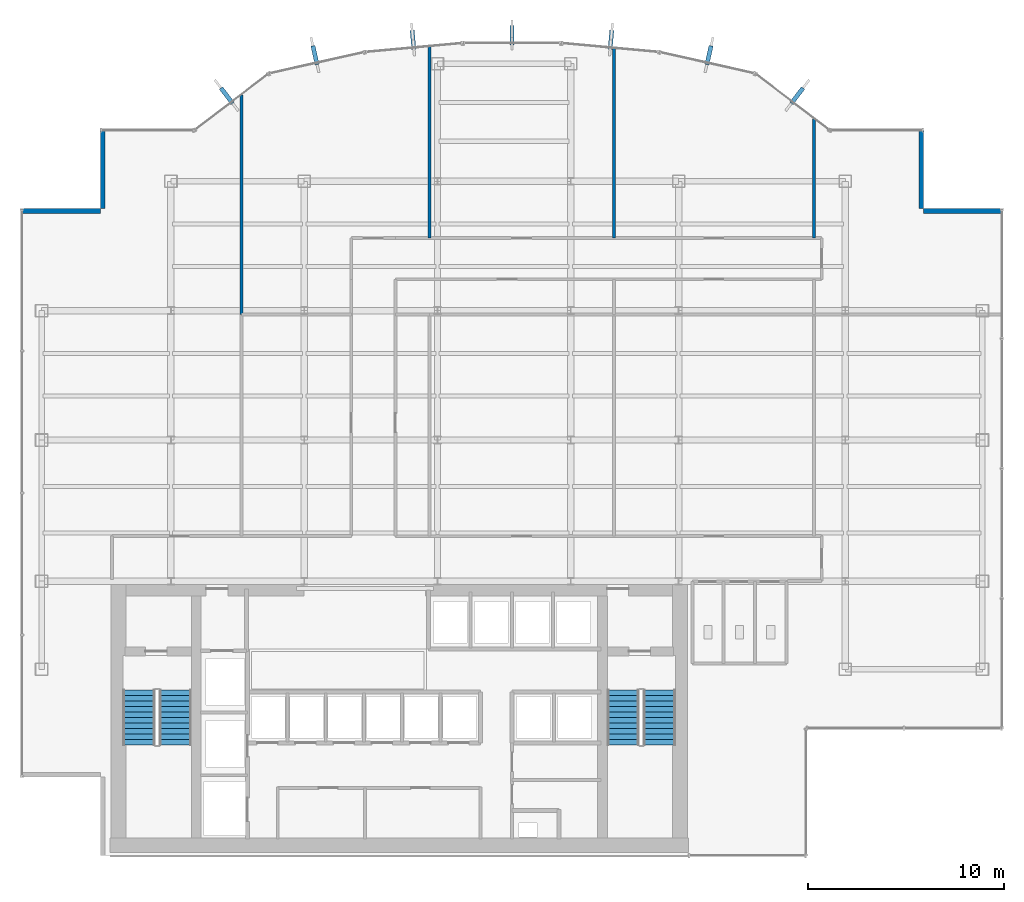
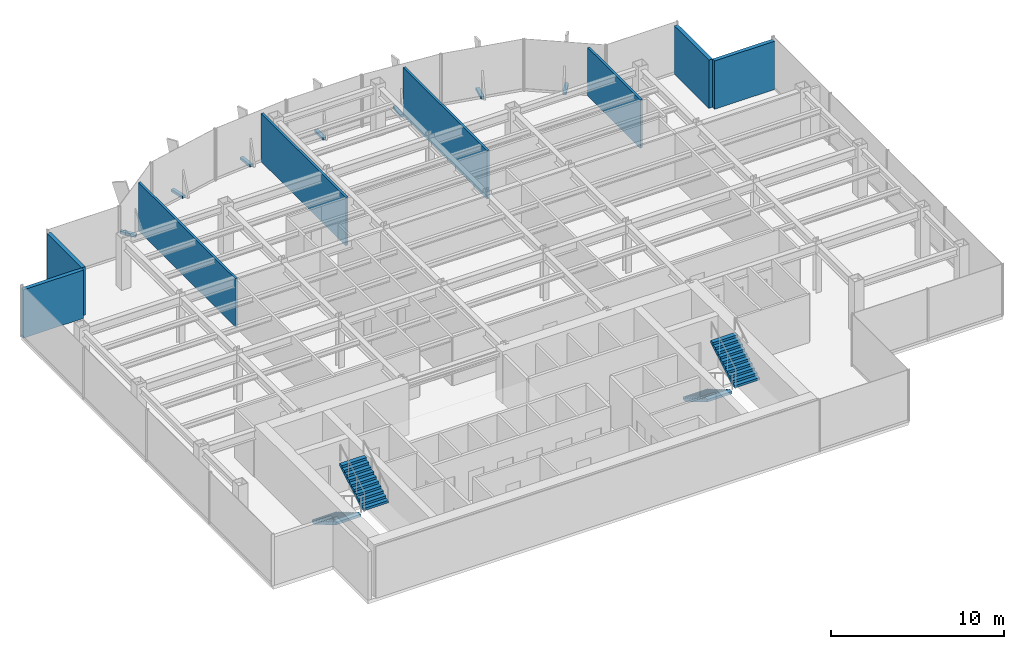
# One storey, part 22 of 25: 8 walls, 7 discrete accessories, 4 stair flights, 2 elements without a shape of their own.
"""IFC4 building model written with IfcOpenShell, lengths in metres."""

import ifcopenshell
import ifcopenshell.guid

model = None  # the IFC model being written
_history = None  # IfcOwnerHistory: only IFC2X3 demands one
_inside = {}  # id of a spatial element -> (the spatial element, [elements in it])
_under = {}  # id of a project, library or spatial element -> (it, [spatial elements below it])
_declared = {}  # id of a project -> (the project, [libraries it declares])
_typed = {}  # id of a type object -> (the type object, [elements of that type])
_made_of = {}  # id of a material, layer set ... -> (it, [elements and type objects made of it])


def new_model(schema):
    """Start an empty IFC model of exactly this schema.

    Asked for "IFC4X3", IfcOpenShell would pick the latest addendum, in which some entities
    have other attributes; the version numbers below select the first issue.
    IFC2X3 requires an IfcOwnerHistory on every rooted entity: one is made here for all.
    """
    global model, _history
    if schema == "IFC4X3":
        model = ifcopenshell.file(schema_version=(4, 3, 0, 0))
    else:
        model = ifcopenshell.file(schema=schema)
    _inside.clear()
    _under.clear()
    _declared.clear()
    _typed.clear()
    _made_of.clear()
    _history = None
    if model.schema == "IFC2X3":
        org = make("IfcOrganization", Name="unknown")
        user = make(
            "IfcPersonAndOrganization",
            ThePerson=make("IfcPerson", FamilyName="unknown"),
            TheOrganization=org,
        )
        app = make(
            "IfcApplication",
            ApplicationDeveloper=org,
            Version="unknown",
            ApplicationFullName="unknown",
            ApplicationIdentifier="unknown",
        )
        _history = make(
            "IfcOwnerHistory",
            OwningUser=user,
            OwningApplication=app,
            ChangeAction="ADDED",
            CreationDate=0,
        )
    return model


def make(cls, **values):
    """One entity of the class cls with the attributes given. An attribute that is None is left unset."""
    return model.create_entity(
        cls, **{name: value for name, value in values.items() if value is not None}
    )


def rooted(cls, **values):
    """An entity with a GlobalId (a new one), such as an element, a storey or a relation."""
    return make(cls, GlobalId=ifcopenshell.guid.new(), OwnerHistory=_history, **values)


def si_unit(unit_type, name, prefix=None):
    """IfcSIUnit, for example si_unit("LENGTHUNIT", "METRE", prefix="MILLI")."""
    return make("IfcSIUnit", UnitType=unit_type, Prefix=prefix, Name=name)


def derived_unit(unit_type, elements):
    """IfcDerivedUnit: a product of units, each with its exponent."""
    return make(
        "IfcDerivedUnit",
        Elements=[
            make("IfcDerivedUnitElement", Unit=unit, Exponent=power)
            for unit, power in elements
        ],
        UnitType=unit_type,
    )


def assignment(units):
    """IfcUnitAssignment: the units of a project."""
    return None if units is None else make("IfcUnitAssignment", Units=units)


def point(xyz):
    """IfcCartesianPoint."""
    return None if xyz is None else make("IfcCartesianPoint", Coordinates=xyz)


def direction(xyz):
    """IfcDirection."""
    return None if xyz is None else make("IfcDirection", DirectionRatios=xyz)


def frame(location, z_axis=None, x_axis=None):
    """IfcAxis2Placement3D, a coordinate frame: its origin and axes. An axis left out is left unset."""
    return make(
        "IfcAxis2Placement3D",
        Location=point(location),
        Axis=direction(z_axis),
        RefDirection=direction(x_axis),
    )


def frame_2d(location, x_axis=None):
    """IfcAxis2Placement2D, a coordinate frame in the plane: its origin and x axis."""
    return make(
        "IfcAxis2Placement2D", Location=point(location), RefDirection=direction(x_axis)
    )


def origin():
    """The frame at (0, 0, 0) with its axes left unset."""
    return frame((0.0, 0.0, 0.0))


def origin_2d():
    """The frame at (0, 0) in the plane with its x axis left unset."""
    return frame_2d((0.0, 0.0))


def place(relative_to, where):
    """IfcLocalPlacement: puts the frame where relative to a parent placement (None: the world)."""
    return make(
        "IfcLocalPlacement", PlacementRelTo=relative_to, RelativePlacement=where
    )


def context(
    kind, dimensions, precision=None, world=None, true_north=None, identifier=None
):
    """IfcGeometricRepresentationContext, for example the 3D "Model" context."""
    return make(
        "IfcGeometricRepresentationContext",
        ContextIdentifier=identifier,
        ContextType=kind,
        CoordinateSpaceDimension=dimensions,
        Precision=precision,
        WorldCoordinateSystem=world,
        TrueNorth=true_north,
    )


def subcontext(parent, identifier, kind, view, scale=None):
    """IfcGeometricRepresentationSubContext, for example "Body" below "Model"."""
    return make(
        "IfcGeometricRepresentationSubContext",
        ContextIdentifier=identifier,
        ContextType=kind,
        ParentContext=parent,
        TargetScale=scale,
        TargetView=view,
    )


def project(units=None, contexts=None):
    """IfcProject with its units and contexts."""
    return rooted(
        "IfcProject",
        Name="project",
        RepresentationContexts=contexts,
        UnitsInContext=assignment(units),
    )


def spatial(cls, under=None, at=None, **own):
    """A site, building, storey or space (cls), placed at a placement, below another one or the project."""
    s = rooted(cls, ObjectPlacement=at, **own)
    if under is not None:
        _under.setdefault(under.id(), (under, []))[1].append(s)
    return s


def polyline(points):
    """IfcPolyline through the points."""
    return make("IfcPolyline", Points=[point(p) for p in points])


def profile(cls, at=None, kind="AREA", **sizes):
    """A parametric profile (cls). Its sizes go by their IFC names, for example OverallWidth=200.0."""
    return make(cls, ProfileType=kind, Position=at, **sizes)


def rectangle(**sizes):
    """IfcRectangleProfileDef."""
    return profile("IfcRectangleProfileDef", **sizes)


def outline(outer, holes=None, kind="AREA"):
    """IfcArbitraryClosedProfileDef: a profile drawn as a closed curve; with holes, ...WithVoids."""
    if holes is None:
        return make("IfcArbitraryClosedProfileDef", ProfileType=kind, OuterCurve=outer)
    return make(
        "IfcArbitraryProfileDefWithVoids",
        ProfileType=kind,
        OuterCurve=outer,
        InnerCurves=holes,
    )


def extrude(swept, where, along, depth):
    """IfcExtrudedAreaSolid: the profile swept, set in the frame where, extruded along a direction by depth."""
    return make(
        "IfcExtrudedAreaSolid",
        SweptArea=swept,
        Position=where,
        ExtrudedDirection=direction(along),
        Depth=depth,
    )


def shape(context_of_items, identifier, shape_type, items):
    """IfcShapeRepresentation: the items that make up one representation, for example the "Body"."""
    return make(
        "IfcShapeRepresentation",
        ContextOfItems=context_of_items,
        RepresentationIdentifier=identifier,
        RepresentationType=shape_type,
        Items=items,
    )


def source(mapping_origin, context_of_items, identifier, shape_type, items):
    """IfcRepresentationMap: a shape defined once, which mapped items show again and again."""
    return make(
        "IfcRepresentationMap",
        MappingOrigin=mapping_origin,
        MappedRepresentation=shape(context_of_items, identifier, shape_type, items),
    )


def transform(
    local_origin,
    x_axis=None,
    y_axis=None,
    z_axis=None,
    scale=None,
    scale2=None,
    scale3=None,
    uniform=True,
):
    """IfcCartesianTransformationOperator3D, or its non-uniform kind. x_axis, y_axis, z_axis: its Axis1, 2, 3."""
    if uniform:
        return make(
            "IfcCartesianTransformationOperator3D",
            Axis1=direction(x_axis),
            Axis2=direction(y_axis),
            LocalOrigin=point(local_origin),
            Scale=scale,
            Axis3=direction(z_axis),
        )
    return make(
        "IfcCartesianTransformationOperator3DnonUniform",
        Axis1=direction(x_axis),
        Axis2=direction(y_axis),
        LocalOrigin=point(local_origin),
        Scale=scale,
        Axis3=direction(z_axis),
        Scale2=scale2,
        Scale3=scale3,
    )


def mapped(mapping_source, mapping_target):
    """IfcMappedItem: shows the shape of a source again, moved by a transform."""
    return make(
        "IfcMappedItem", MappingSource=mapping_source, MappingTarget=mapping_target
    )


def material(Name=None, Category=None):
    """IfcMaterial."""
    return make("IfcMaterial", Name=Name, Category=Category)


def layer(
    of_material, thickness, ventilated=None, Name=None, Category=None, Priority=None
):
    """IfcMaterialLayer: one layer of a wall or slab, of a material (None: an air gap)."""
    return make(
        "IfcMaterialLayer",
        Material=of_material,
        LayerThickness=thickness,
        IsVentilated=ventilated,
        Name=Name,
        Category=Category,
        Priority=Priority,
    )


def layer_set(layers, Name=None):
    """IfcMaterialLayerSet."""
    return make("IfcMaterialLayerSet", MaterialLayers=layers, LayerSetName=Name)


def made_of(thing, what):
    """Note that an element or type object is made of a material, layer set ...; save() writes the relation."""
    if what is not None:
        _made_of.setdefault(what.id(), (what, []))[1].append(thing)
    return thing


def type_object(cls, material=None, **own):
    """A type object (cls), such as IfcWallType, which elements share."""
    return made_of(rooted(cls, **own), material)


def element(
    cls,
    number,
    at=None,
    inside=None,
    cuts=None,
    type_object=None,
    material=None,
    context=None,
    identifier="Body",
    shape_type=None,
    held_by="IfcProductDefinitionShape",
    body=None,
    shapes=None,
    **own,
):
    """One element of the class cls, such as IfcWall. Its Tag is "e" and its number.

    at: its placement. inside: the storey or other place that contains it. cuts: it is an
    opening in that element (IfcRelVoidsElement). A single representation is given by context,
    identifier, shape_type and body (its items); several are given by shapes. held_by: the class
    of the entity that holds the representations. save() writes the other relations.
    """
    e = rooted(cls, Tag="e%d" % number, ObjectPlacement=at, **own)
    if body is not None:
        shapes = [shape(context, identifier, shape_type, body)]
    if shapes is not None:
        e.Representation = make(held_by, Representations=shapes)
    if inside is not None:
        _inside.setdefault(inside.id(), (inside, []))[1].append(e)
    if cuts is not None:
        rooted(
            "IfcRelVoidsElement", RelatingBuildingElement=cuts, RelatedOpeningElement=e
        )
    if type_object is not None:
        _typed.setdefault(type_object.id(), (type_object, []))[1].append(e)
    return made_of(e, material)


def aggregate(whole, parts):
    """IfcRelAggregates: a whole, such as a stair, and the parts it consists of."""
    return rooted("IfcRelAggregates", RelatingObject=whole, RelatedObjects=parts)


def save(model, path):
    """Write the relations noted so far, then the file.

    IfcRelAggregates (storeys below a building ...), IfcRelContainedInSpatialStructure (elements
    in a storey), IfcRelDefinesByType, IfcRelAssociatesMaterial and IfcRelDeclares: one each for
    every whole, place, type object, material and project.
    """
    for whole, parts in _under.values():
        aggregate(whole, parts)
    for where, things in _inside.values():
        rooted(
            "IfcRelContainedInSpatialStructure",
            RelatedElements=things,
            RelatingStructure=where,
        )
    for kind, things in _typed.values():
        rooted("IfcRelDefinesByType", RelatedObjects=things, RelatingType=kind)
    for what, things in _made_of.values():
        rooted("IfcRelAssociatesMaterial", RelatedObjects=things, RelatingMaterial=what)
    for by, libraries in _declared.values():
        rooted("IfcRelDeclares", RelatingContext=by, RelatedDefinitions=libraries)
    model.write(path)


model = new_model("IFC4")

# Units and contexts
model_context = context("Model", 3, precision=1e-05, world=origin(), true_north=direction((0.0, 1.0)))
body_context = subcontext(model_context, "Body", "Model", "MODEL_VIEW")
ifc_project = project(units=[si_unit("LENGTHUNIT", "METRE"), si_unit("AREAUNIT", "SQUARE_METRE"), si_unit("VOLUMEUNIT", "CUBIC_METRE"), si_unit("PLANEANGLEUNIT", "RADIAN"), si_unit("MASSUNIT", "GRAM", prefix="KILO"), derived_unit("THERMALTRANSMITTANCEUNIT", [(si_unit("POWERUNIT", "WATT"), 1), (si_unit("LENGTHUNIT", "METRE"), -2), (si_unit("THERMODYNAMICTEMPERATUREUNIT", "KELVIN"), -1)])], contexts=[model_context])

# Site, building, storey
site_placement = place(None, origin())
site = spatial("IfcSite", under=ifc_project, at=site_placement, CompositionType="ELEMENT")
building_placement = place(site_placement, origin())
building = spatial("IfcBuilding", under=site, at=building_placement, Name="Skarnbrae Concourse Arena and Tower", CompositionType="ELEMENT")
storey_placement = place(building_placement, frame((0.0, 0.0, 144.25)))
storey = spatial("IfcBuildingStorey", under=building, at=storey_placement, Name="L36", CompositionType="ELEMENT", Elevation=144.25)

# Walls
ifc_material_1 = material(Name="Precast concrete 40 MPa (C40/50)", Category="concrete")
ifc_layer_1 = layer(ifc_material_1, 0.25)
ifc_layer_set_1 = layer_set([ifc_layer_1], Name="Precast concrete 40 MPa (C40/50)")
wall_type_1 = type_object("IfcWallType", Name="WALL-EXT-SPANDREL-250", PredefinedType="STANDARD", material=ifc_layer_set_1)
shared_shape_1 = source(origin(), body_context, "Body", "SweptSolid", [
    extrude(rectangle(XDim=4.0, YDim=0.25, at=frame_2d((2.0, 0.0))), origin(), (0.0, 0.0, 1.0), 3.39990234375),
])
for number, where, z_axis, x_axis, name in (
    (1, (50.0, 32.875, 0.0), (0.0, 0.0, 1.0), (-1.0, 0.0, 0.0), "L36 Notched corner insulated return wall 05"),
    (2, (45.875, 33.0, 0.0), (0.0, 0.0, 1.0), (0.0, 1.0, 0.0), "L36 Notched corner insulated return wall 06"),
    (3, (4.125, 37.0, 0.0), (0.0, 0.0, 1.0), (0.0, -1.0, 0.0), "L36 Notched corner insulated return wall 16"),
    (4, (4.0, 32.875, 0.0), (0.0, 0.0, 1.0), (-1.0, 0.0, 0.0), "L36 Notched corner insulated return wall 17"),
):
    element("IfcWall", number, at=place(storey_placement, frame(where, z_axis=z_axis, x_axis=x_axis)), inside=storey, type_object=wall_type_1, Name=name, PredefinedType="STANDARD", context=body_context, shape_type="MappedRepresentation", body=[
        mapped(shared_shape_1, transform((0.0, 0.0, 0.0))),
    ])
ifc_material_2 = material(Name="Gypsum board on cold-formed steel studs", Category="steel")
ifc_layer_2 = layer(ifc_material_2, 0.14990234375)
ifc_layer_set_2 = layer_set([ifc_layer_2], Name="Gypsum board on cold-formed steel studs")
wall_type_2 = type_object("IfcWallType", Name="WALL-PART-150", PredefinedType="PARTITIONING", material=ifc_layer_set_2)
shared_shape_2 = source(origin(), body_context, "Body", "SweptSolid", [
    extrude(rectangle(XDim=11.206298828125, YDim=0.14990234375, at=frame_2d((5.60302734375, 0.0))), origin(), (0.0, 0.0, 1.0), 3.39990234375),
])
wall_1_placement = place(storey_placement, frame((11.199951171875, 38.806396484375, 0.0), z_axis=(0.0, 0.0, 1.0), x_axis=(0.0, -1.0, 0.0)))
element("IfcWall", 5, at=wall_1_placement, inside=storey, type_object=wall_type_2, Name="L36 Interior partition wall W-L36-DEM-15", PredefinedType="PARTITIONING", context=body_context, shape_type="MappedRepresentation", body=[
    mapped(shared_shape_2, transform((0.0, 0.0, 0.0))),
])
shared_shape_3 = source(origin(), body_context, "Body", "SweptSolid", [
    extrude(rectangle(XDim=9.7705078125, YDim=0.14990234375, at=frame_2d((4.88525390625, 0.0))), origin(), (0.0, 0.0, 1.0), 3.39990234375),
])
wall_2_placement = place(storey_placement, frame((20.800048828125, 41.2705078125, 0.0), z_axis=(0.0, 0.0, 1.0), x_axis=(0.0, -1.0, 0.0)))
element("IfcWall", 6, at=wall_2_placement, inside=storey, type_object=wall_type_2, Name="L36 Interior partition wall W-L36-DEM-19", PredefinedType="PARTITIONING", context=body_context, shape_type="MappedRepresentation", body=[
    mapped(shared_shape_3, transform((0.0, 0.0, 0.0))),
])
shared_shape_4 = source(origin(), body_context, "Body", "SweptSolid", [
    extrude(rectangle(XDim=9.678955078125, YDim=0.14990234375, at=frame_2d((4.83935546875, 0.0))), origin(), (0.0, 0.0, 1.0), 3.39990234375),
])
wall_3_placement = place(storey_placement, frame((30.199951171875, 41.178955078125, 0.0), z_axis=(0.0, 0.0, 1.0), x_axis=(0.0, -1.0, 0.0)))
element("IfcWall", 7, at=wall_3_placement, inside=storey, type_object=wall_type_2, Name="L36 Interior partition wall W-L36-DEM-23", PredefinedType="PARTITIONING", context=body_context, shape_type="MappedRepresentation", body=[
    mapped(shared_shape_4, transform((0.0, 0.0, 0.0))),
])
shared_shape_5 = source(origin(), body_context, "Body", "SweptSolid", [
    extrude(rectangle(XDim=6.08544921875, YDim=0.14990234375, at=frame_2d((3.042724609375, 0.0))), origin(), (0.0, 0.0, 1.0), 3.39990234375),
])
wall_4_placement = place(storey_placement, frame((40.39990234375, 37.58544921875, 0.0), z_axis=(0.0, 0.0, 1.0), x_axis=(0.0, -1.0, 0.0)))
element("IfcWall", 8, at=wall_4_placement, inside=storey, type_object=wall_type_2, Name="L36 Interior partition wall W-L36-DEM-27", PredefinedType="PARTITIONING", context=body_context, shape_type="MappedRepresentation", body=[
    mapped(shared_shape_5, transform((0.0, 0.0, 0.0))),
])

# Stair, stair flights
ifc_material_3 = material(Name="Concrete 40 MPa (C40/50)", Category="concrete")
stair_type = type_object("IfcStairType", Name="STAIR-DOGLEG-1650", PredefinedType="HALF_TURN_STAIR", material=ifc_material_3)
stair_1_placement = place(storey_placement, origin())
stair_1 = element("IfcStair", 9, at=stair_1_placement, inside=storey, type_object=stair_type, Name="L36 Protected Exit Stair ST-1", PredefinedType="HALF_TURN_STAIR")
stair_flight_type = type_object("IfcStairFlightType", Name="FLIGHT-STRAIGHT-1650", PredefinedType="STRAIGHT", material=ifc_material_3)
shared_shape_6 = source(origin(), body_context, "Body", "SweptSolid", [
    extrude(outline(polyline([(0.0, 0.0), (0.0, 0.166015625), (0.280029296875, 0.166015625), (0.280029296875, 0.331787109375), (0.56005859375, 0.331787109375), (0.56005859375, 0.497802734375), (0.840087890625, 0.497802734375), (0.840087890625, 0.66357421875), (1.1201171875, 0.66357421875), (1.1201171875, 0.82958984375), (1.39990234375, 0.82958984375), (1.39990234375, 0.995361328125), (1.679931640625, 0.995361328125), (1.679931640625, 1.161376953125), (1.9599609375, 1.161376953125), (1.9599609375, 1.327392578125), (2.239990234375, 1.327392578125), (2.239990234375, 1.4931640625), (2.52001953125, 1.4931640625), (2.52001953125, 1.6591796875), (2.800048828125, 1.6591796875), (2.800048828125, 1.824951171875), (2.800048828125, 1.48486328125), (0.2939453125, 0.0), (0.0, 0.0)])), frame((0.0, 0.824951171875, 0.0), z_axis=(0.0, -1.0, 0.0), x_axis=(1.0, 0.0, 0.0)), (0.0, 0.0, 1.0), 1.64990234375),
])
stair_flight_1_placement = place(storey_placement, frame((5.97509765625, 8.449951171875, 0.0), z_axis=(0.0, 0.0, 1.0), x_axis=(0.0, -1.0, 0.0)))
stair_flight_1 = element("IfcStairFlight", 10, at=stair_flight_1_placement, type_object=stair_flight_type, Name="ST-1 flight 1", NumberOfRisers=11, NumberOfTreads=10, PredefinedType="STRAIGHT", RiserHeight=0.165909091, TreadLength=0.28, context=body_context, shape_type="MappedRepresentation", body=[
    mapped(shared_shape_6, transform((0.0, 0.0, 0.0))),
])
stair_flight_2_placement = place(storey_placement, frame((7.824951171875, 5.64990234375, 1.824951171875), z_axis=(0.0, 0.0, 1.0), x_axis=(0.0, 1.0, 0.0)))
stair_flight_2 = element("IfcStairFlight", 11, at=stair_flight_2_placement, type_object=stair_flight_type, Name="ST-1 flight 2", NumberOfRisers=11, NumberOfTreads=10, PredefinedType="STRAIGHT", RiserHeight=0.165909091, TreadLength=0.28, context=body_context, shape_type="MappedRepresentation", body=[
    mapped(shared_shape_6, transform((0.0, 0.0, 0.0))),
])
aggregate(stair_1, [stair_flight_1, stair_flight_2])

stair_2_placement = place(storey_placement, origin())
stair_2 = element("IfcStair", 12, at=stair_2_placement, inside=storey, type_object=stair_type, Name="L36 Protected Exit Stair ST-2", PredefinedType="HALF_TURN_STAIR")
stair_flight_3_placement = place(storey_placement, frame((30.675048828125, 8.449951171875, 0.0), z_axis=(0.0, 0.0, 1.0), x_axis=(0.0, -1.0, 0.0)))
stair_flight_3 = element("IfcStairFlight", 13, at=stair_flight_3_placement, type_object=stair_flight_type, Name="ST-2 flight 1", NumberOfRisers=11, NumberOfTreads=10, PredefinedType="STRAIGHT", RiserHeight=0.165909091, TreadLength=0.28, context=body_context, shape_type="MappedRepresentation", body=[
    mapped(shared_shape_6, transform((0.0, 0.0, 0.0))),
])
stair_flight_4_placement = place(storey_placement, frame((32.52490234375, 5.64990234375, 1.824951171875), z_axis=(0.0, 0.0, 1.0), x_axis=(0.0, 1.0, 0.0)))
stair_flight_4 = element("IfcStairFlight", 14, at=stair_flight_4_placement, type_object=stair_flight_type, Name="ST-2 flight 2", NumberOfRisers=11, NumberOfTreads=10, PredefinedType="STRAIGHT", RiserHeight=0.165909091, TreadLength=0.28, context=body_context, shape_type="MappedRepresentation", body=[
    mapped(shared_shape_6, transform((0.0, 0.0, 0.0))),
])
aggregate(stair_2, [stair_flight_3, stair_flight_4])

# Discrete accessories
ifc_material_4 = material(Name="Bronze anodised aluminium 6063-T6", Category="aluminium")
discrete_accessory_type = type_object("IfcDiscreteAccessoryType", Name="ACC-FIN-BRACKET", PredefinedType="BRACKET", material=ifc_material_4)
shared_shape_7 = source(origin(), body_context, "Body", "SweptSolid", [
    extrude(rectangle(XDim=0.219970703125, YDim=0.97998046875, at=origin_2d()), origin(), (0.0, 0.0, 1.0), 0.179931640625),
])
for number, where, z_axis, x_axis, name in (
    (15, (39.54736328125, 38.764404296875, -0.02978515625), (0.0, 0.0, 1.0), (0.794954941871, -0.606668476513, 0.0), "L36 Bronze fin foot support bracket 08"),
    (16, (35.048095703125, 40.830078125, -0.02978515625), (0.0, 0.0, 1.0), (0.975935794812, -0.218058075762, 0.0), "L36 Bronze fin foot support bracket 09"),
    (17, (30.04833984375, 41.614501953125, -0.02978515625), (0.0, 0.0, 1.0), (0.99581928833, -0.091345196863, 0.0), "L36 Bronze fin foot support bracket 10"),
    (18, (25.0, 41.845703125, -0.02978515625), (0.0, 0.0, 1.0), (1.0, 0.0, 0.0), "L36 Bronze fin foot support bracket 11"),
    (19, (19.95166015625, 41.614501953125, -0.02978515625), (0.0, 0.0, 1.0), (0.99581928833, 0.091345196863, 0.0), "L36 Bronze fin foot support bracket 12"),
    (20, (14.951904296875, 40.830078125, -0.02978515625), (0.0, 0.0, 1.0), (0.975935794812, 0.218058075762, 0.0), "L36 Bronze fin foot support bracket 13"),
    (21, (10.45263671875, 38.764404296875, -0.02978515625), (0.0, 0.0, 1.0), (0.794954941871, 0.606668476513, 0.0), "L36 Bronze fin foot support bracket 14"),
):
    element("IfcDiscreteAccessory", number, at=place(storey_placement, frame(where, z_axis=z_axis, x_axis=x_axis)), inside=storey, type_object=discrete_accessory_type, Name=name, PredefinedType="BRACKET", context=body_context, shape_type="MappedRepresentation", body=[
        mapped(shared_shape_7, transform((0.0, 0.0, 0.0))),
    ])

save(model, "model.ifc")
